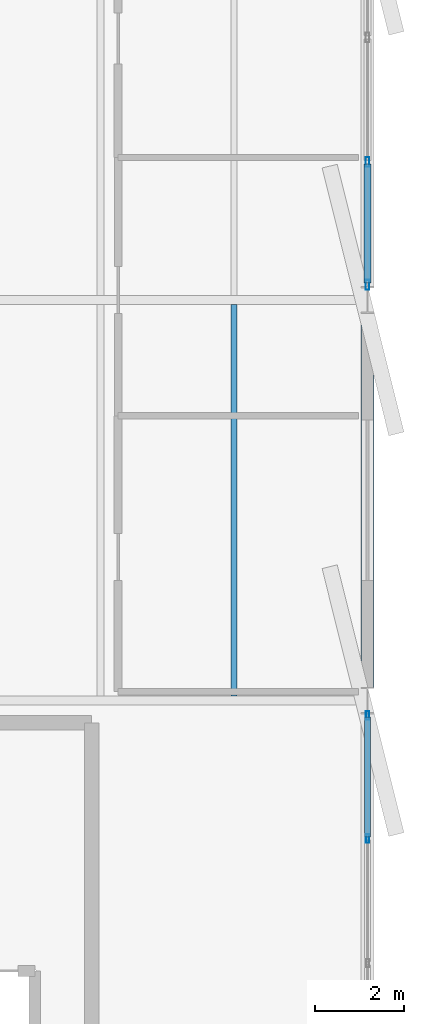
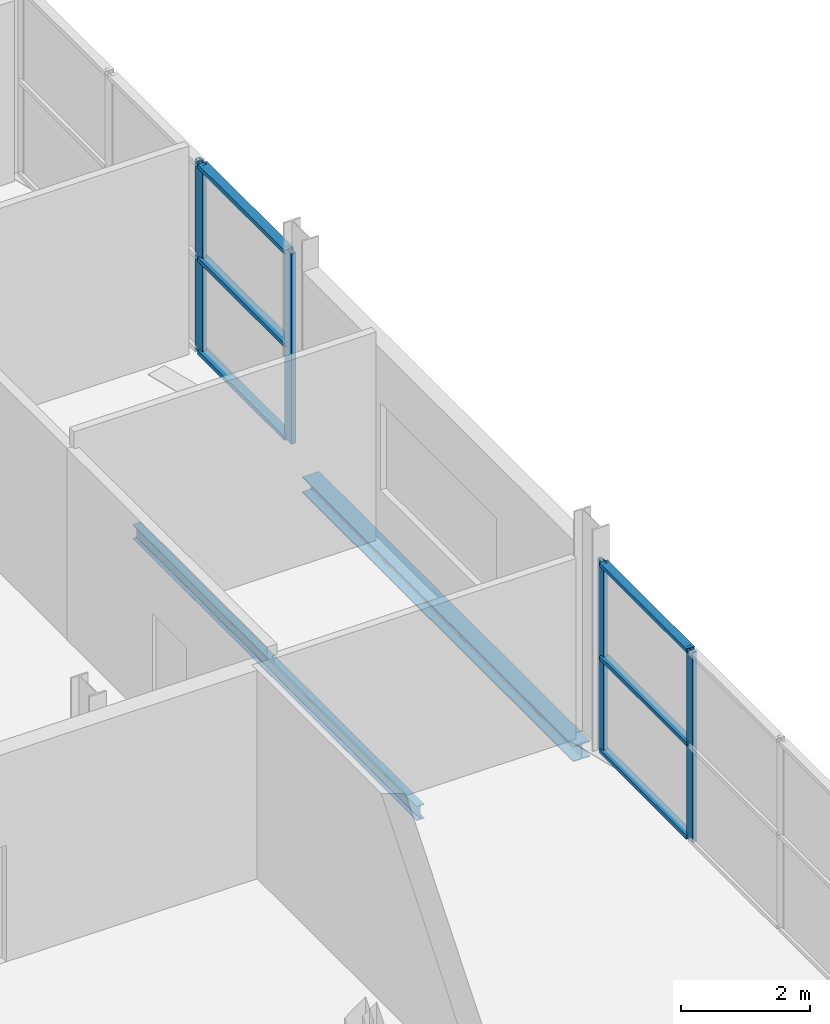
# One storey, part 86 of 135: 10 members, 2 beams, 2 elements without a shape of their own.
"""IFC4 building model written with IfcOpenShell, lengths in metres."""

from ifc_helpers import new_model, si_unit, direction, frame, origin, origin_2d, place, context, subcontext, project, spatial, hollow_rectangle, i_section, extrude, material, layer, layer_set, material_profile, profile_set, type_object, element, aggregate, save


model = new_model("IFC4")

# Units and contexts
model_context = context("Model", 3, precision=1e-05, world=origin(), true_north=direction((0.0, 1.0)))
body_context = subcontext(model_context, "Body", "Model", "MODEL_VIEW")
ifc_project = project(units=[si_unit("LENGTHUNIT", "METRE"), si_unit("AREAUNIT", "SQUARE_METRE"), si_unit("VOLUMEUNIT", "CUBIC_METRE"), si_unit("PLANEANGLEUNIT", "RADIAN"), si_unit("MASSUNIT", "GRAM", prefix="KILO")], contexts=[model_context])

# Site, building, storey
site_placement = place(None, origin())
site = spatial("IfcSite", under=ifc_project, at=site_placement, CompositionType="ELEMENT")
building_placement = place(site_placement, origin())
building = spatial("IfcBuilding", under=site, at=building_placement, Name="Deido Ridge Mobility Hub", CompositionType="ELEMENT")
storey_placement = place(building_placement, frame((0.0, 0.0, 4.199951171875)))
storey = spatial("IfcBuildingStorey", under=building, at=storey_placement, Name="L01", CompositionType="ELEMENT", Elevation=4.199951171875)

# Beam
ifc_material_1 = material(Name="Steel S355J2 EN 10025-2", Category="steel")
ifc_material_profile_1 = material_profile(ifc_material_1, i_section(OverallWidth=0.135009765625, OverallDepth=0.27001953125, WebThickness=0.006591796875, FlangeThickness=0.01025390625, FilletRadius=0.014892578125, at=origin_2d()), Name="IPE 270")
ifc_profile_set_1 = profile_set([ifc_material_profile_1], Name="Steel S355J2 EN 10025-2")
beam_type_1 = type_object("IfcBeamType", Name="JST-IPE270", PredefinedType="JOIST", material=ifc_profile_set_1)
beam_1_placement = place(storey_placement, frame((177.0, 18.10009765625, -0.385009765625), z_axis=(0.0, 1.0, 0.0), x_axis=(-1.0, 0.0, 0.0)))
element("IfcBeam", 1, at=beam_1_placement, inside=storey, type_object=beam_type_1, Name="Composite joist J4", PredefinedType="JOIST", context=body_context, shape_type="SweptSolid", body=[
    extrude(i_section(OverallWidth=0.135009765625, OverallDepth=0.27001953125, WebThickness=0.006591796875, FlangeThickness=0.01025390625, FilletRadius=0.014892578125, at=origin_2d()), origin(), (0.0, 0.0, 1.0), 8.7998046875),
])

# Curtain wall, members
ifc_material_2 = material(Name="Anodised aluminium EN AW-6063 T6", Category="aluminium")
ifc_layer_1 = layer(ifc_material_2, 0.22509765625, Name="Anodised aluminium EN AW-6063 T6")
ifc_layer_set_1 = layer_set([ifc_layer_1], Name="Anodised aluminium EN AW-6063 T6")
curtain_wall_type_1 = type_object("IfcCurtainWallType", Name="CW-UF-5", PredefinedType="USERDEFINED", material=ifc_layer_set_1)
curtain_wall_1_placement = place(storey_placement, origin())
curtain_wall_1 = element("IfcCurtainWall", 2, at=curtain_wall_1_placement, inside=storey, type_object=curtain_wall_type_1, Name="Unitised curtain wall CW5", ObjectType="UNITISED FACADE", PredefinedType="USERDEFINED")
ifc_material_profile_2 = material_profile(ifc_material_2, hollow_rectangle(XDim=0.070068359375, YDim=0.18994140625, WallThickness=0.00390625, at=origin_2d()), Name="RHS 70x190x4")
ifc_profile_set_2 = profile_set([ifc_material_profile_2], Name="Anodised aluminium EN AW-6063 T6")
member_type_1 = type_object("IfcMemberType", Name="MEM-MUL-70X190", PredefinedType="MULLION", material=ifc_profile_set_2)
member_1_placement = place(storey_placement, frame((180.0, 14.89990234375, 0.0), z_axis=(0.0, 0.0, 1.0), x_axis=(-1.0, 0.0, 0.0)))
member_1 = element("IfcMember", 3, at=member_1_placement, type_object=member_type_1, Name="CW5 mullion 3", PredefinedType="MULLION", context=body_context, shape_type="SweptSolid", body=[
    extrude(hollow_rectangle(XDim=0.070068359375, YDim=0.18994140625, WallThickness=0.00390625, at=origin_2d()), origin(), (0.0, 0.0, 1.0), 3.60009765625),
])
member_2_placement = place(storey_placement, frame((180.0, 17.6650390625, 0.0), z_axis=(0.0, 0.0, 1.0), x_axis=(-1.0, 0.0, 0.0)))
member_2 = element("IfcMember", 4, at=member_2_placement, type_object=member_type_1, Name="CW5 mullion 4", PredefinedType="MULLION", context=body_context, shape_type="SweptSolid", body=[
    extrude(hollow_rectangle(XDim=0.070068359375, YDim=0.18994140625, WallThickness=0.00390625, at=origin_2d()), origin(), (0.0, 0.0, 1.0), 3.60009765625),
])

ifc_layer_2 = layer(ifc_material_2, 0.2548828125, Name="Anodised aluminium EN AW-6063 T6")
ifc_layer_set_2 = layer_set([ifc_layer_2], Name="Anodised aluminium EN AW-6063 T6")
curtain_wall_type_2 = type_object("IfcCurtainWallType", Name="CW-UF-7", PredefinedType="USERDEFINED", material=ifc_layer_set_2)
curtain_wall_2_placement = place(storey_placement, origin())
curtain_wall_2 = element("IfcCurtainWall", 5, at=curtain_wall_2_placement, inside=storey, type_object=curtain_wall_type_2, Name="Unitised curtain wall CW7", ObjectType="UNITISED FACADE", PredefinedType="USERDEFINED")
ifc_material_profile_3 = material_profile(ifc_material_2, hollow_rectangle(XDim=0.080078125, YDim=0.219970703125, WallThickness=0.00390625, at=origin_2d()), Name="RHS 80x220x4")
ifc_profile_set_3 = profile_set([ifc_material_profile_3], Name="Anodised aluminium EN AW-6063 T6")
member_type_2 = type_object("IfcMemberType", Name="MEM-MUL-80X220", PredefinedType="MULLION", material=ifc_profile_set_3)
member_3_placement = place(storey_placement, frame((180.0, 27.340087890625, 0.0), z_axis=(0.0, 0.0, 1.0), x_axis=(-1.0, 0.0, 0.0)))
member_3 = element("IfcMember", 6, at=member_3_placement, type_object=member_type_2, Name="CW7 mullion 1", PredefinedType="MULLION", context=body_context, shape_type="SweptSolid", body=[
    extrude(hollow_rectangle(XDim=0.080078125, YDim=0.219970703125, WallThickness=0.00390625, at=origin_2d()), origin(), (0.0, 0.0, 1.0), 3.60009765625),
])
member_4_placement = place(storey_placement, frame((180.0, 30.10009765625, 0.0), z_axis=(0.0, 0.0, 1.0), x_axis=(-1.0, 0.0, 0.0)))
member_4 = element("IfcMember", 7, at=member_4_placement, type_object=member_type_2, Name="CW7 mullion 2", PredefinedType="MULLION", context=body_context, shape_type="SweptSolid", body=[
    extrude(hollow_rectangle(XDim=0.080078125, YDim=0.219970703125, WallThickness=0.00390625, at=origin_2d()), origin(), (0.0, 0.0, 1.0), 3.60009765625),
])

# Member
ifc_material_profile_4 = material_profile(ifc_material_2, hollow_rectangle(XDim=0.14501953125, YDim=0.070068359375, WallThickness=0.00390625, at=origin_2d()), Name="RHS 145x70x4")
ifc_profile_set_4 = profile_set([ifc_material_profile_4], Name="Anodised aluminium EN AW-6063 T6")
member_type_3 = type_object("IfcMemberType", Name="MEM-TRN-145X70", PredefinedType="USERDEFINED", material=ifc_profile_set_4)
member_5_placement = place(storey_placement, frame((180.0, 14.93505859375, 0.03515625), z_axis=(0.0, 1.0, 0.0), x_axis=(-1.0, 0.0, 0.0)))
member_5 = element("IfcMember", 8, at=member_5_placement, type_object=member_type_3, Name="CW5 transom 3.1", ObjectType="TRANSOM", PredefinedType="USERDEFINED", context=body_context, shape_type="SweptSolid", body=[
    extrude(hollow_rectangle(XDim=0.14501953125, YDim=0.070068359375, WallThickness=0.00390625, at=origin_2d()), origin(), (0.0, 0.0, 1.0), 2.69482421875),
])

member_6_placement = place(storey_placement, frame((180.0, 14.93505859375, 1.800048828125), z_axis=(0.0, 1.0, 0.0), x_axis=(-1.0, 0.0, 0.0)))
member_6 = element("IfcMember", 9, at=member_6_placement, type_object=member_type_3, Name="CW5 transom 3.2", ObjectType="TRANSOM", PredefinedType="USERDEFINED", context=body_context, shape_type="SweptSolid", body=[
    extrude(hollow_rectangle(XDim=0.14501953125, YDim=0.070068359375, WallThickness=0.00390625, at=origin_2d()), origin(), (0.0, 0.0, 1.0), 2.69482421875),
])

member_7_placement = place(storey_placement, frame((180.0, 14.93505859375, 3.56494140625), z_axis=(0.0, 1.0, 0.0), x_axis=(-1.0, 0.0, 0.0)))
member_7 = element("IfcMember", 10, at=member_7_placement, type_object=member_type_3, Name="CW5 transom 3.3", ObjectType="TRANSOM", PredefinedType="USERDEFINED", context=body_context, shape_type="SweptSolid", body=[
    extrude(hollow_rectangle(XDim=0.14501953125, YDim=0.070068359375, WallThickness=0.00390625, at=origin_2d()), origin(), (0.0, 0.0, 1.0), 2.69482421875),
])

aggregate(curtain_wall_1, [member_1, member_2, member_5, member_6, member_7])

ifc_material_profile_5 = material_profile(ifc_material_2, hollow_rectangle(XDim=0.1650390625, YDim=0.080078125, WallThickness=0.00390625, at=origin_2d()), Name="RHS 165x80x4")
ifc_profile_set_5 = profile_set([ifc_material_profile_5], Name="Anodised aluminium EN AW-6063 T6")
member_type_4 = type_object("IfcMemberType", Name="MEM-TRN-165X80", PredefinedType="USERDEFINED", material=ifc_profile_set_5)
member_8_placement = place(storey_placement, frame((180.0, 27.3798828125, 0.0400390625), z_axis=(0.0, 1.0, 0.0), x_axis=(-1.0, 0.0, 0.0)))
member_8 = element("IfcMember", 11, at=member_8_placement, type_object=member_type_4, Name="CW7 transom 1.1", ObjectType="TRANSOM", PredefinedType="USERDEFINED", context=body_context, shape_type="SweptSolid", body=[
    extrude(hollow_rectangle(XDim=0.1650390625, YDim=0.080078125, WallThickness=0.00390625, at=origin_2d()), origin(), (0.0, 0.0, 1.0), 2.68017578125),
])

member_9_placement = place(storey_placement, frame((180.0, 27.3798828125, 1.800048828125), z_axis=(0.0, 1.0, 0.0), x_axis=(-1.0, 0.0, 0.0)))
member_9 = element("IfcMember", 12, at=member_9_placement, type_object=member_type_4, Name="CW7 transom 1.2", ObjectType="TRANSOM", PredefinedType="USERDEFINED", context=body_context, shape_type="SweptSolid", body=[
    extrude(hollow_rectangle(XDim=0.1650390625, YDim=0.080078125, WallThickness=0.00390625, at=origin_2d()), origin(), (0.0, 0.0, 1.0), 2.68017578125),
])

member_10_placement = place(storey_placement, frame((180.0, 27.3798828125, 3.56005859375), z_axis=(0.0, 1.0, 0.0), x_axis=(-1.0, 0.0, 0.0)))
member_10 = element("IfcMember", 13, at=member_10_placement, type_object=member_type_4, Name="CW7 transom 1.3", ObjectType="TRANSOM", PredefinedType="USERDEFINED", context=body_context, shape_type="SweptSolid", body=[
    extrude(hollow_rectangle(XDim=0.1650390625, YDim=0.080078125, WallThickness=0.00390625, at=origin_2d()), origin(), (0.0, 0.0, 1.0), 2.68017578125),
])

aggregate(curtain_wall_2, [member_3, member_4, member_8, member_9, member_10])

# Beam
ifc_material_profile_6 = material_profile(ifc_material_1, i_section(OverallWidth=0.300048828125, OverallDepth=0.300048828125, WebThickness=0.010986328125, FlangeThickness=0.01904296875, FilletRadius=0.027099609375, at=origin_2d()), Name="HEB 300")
ifc_profile_set_6 = profile_set([ifc_material_profile_6], Name="Steel S355J2 EN 10025-2")
beam_type_2 = type_object("IfcBeamType", Name="SPD-HEB300", PredefinedType="SPANDREL", material=ifc_profile_set_6)
beam_2_placement = place(storey_placement, frame((180.0, 18.300048828125, -0.39990234375), z_axis=(0.0, 1.0, 0.0), x_axis=(-1.0, 0.0, 0.0)))
element("IfcBeam", 14, at=beam_2_placement, inside=storey, type_object=beam_type_2, Name="Floor beam SP1", PredefinedType="SPANDREL", context=body_context, shape_type="SweptSolid", body=[
    extrude(i_section(OverallWidth=0.300048828125, OverallDepth=0.300048828125, WebThickness=0.010986328125, FlangeThickness=0.01904296875, FilletRadius=0.027099609375, at=origin_2d()), origin(), (0.0, 0.0, 1.0), 8.39990234375),
])

save(model, "model.ifc")
